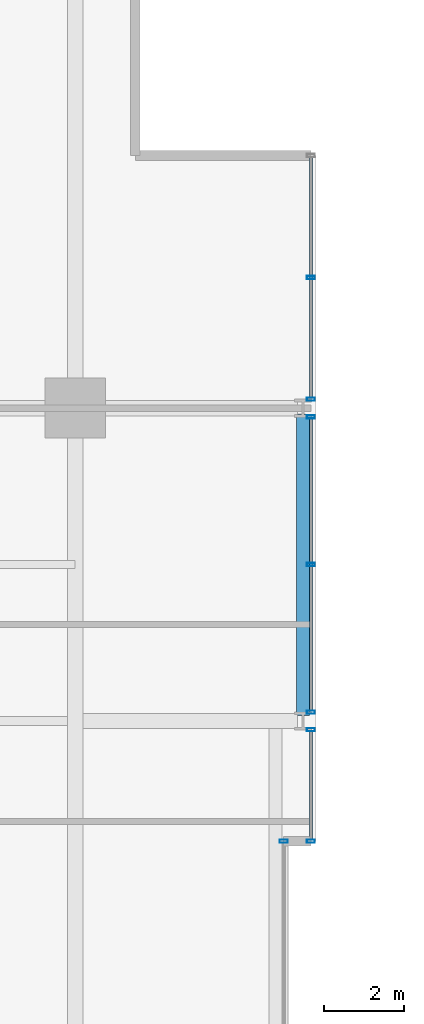
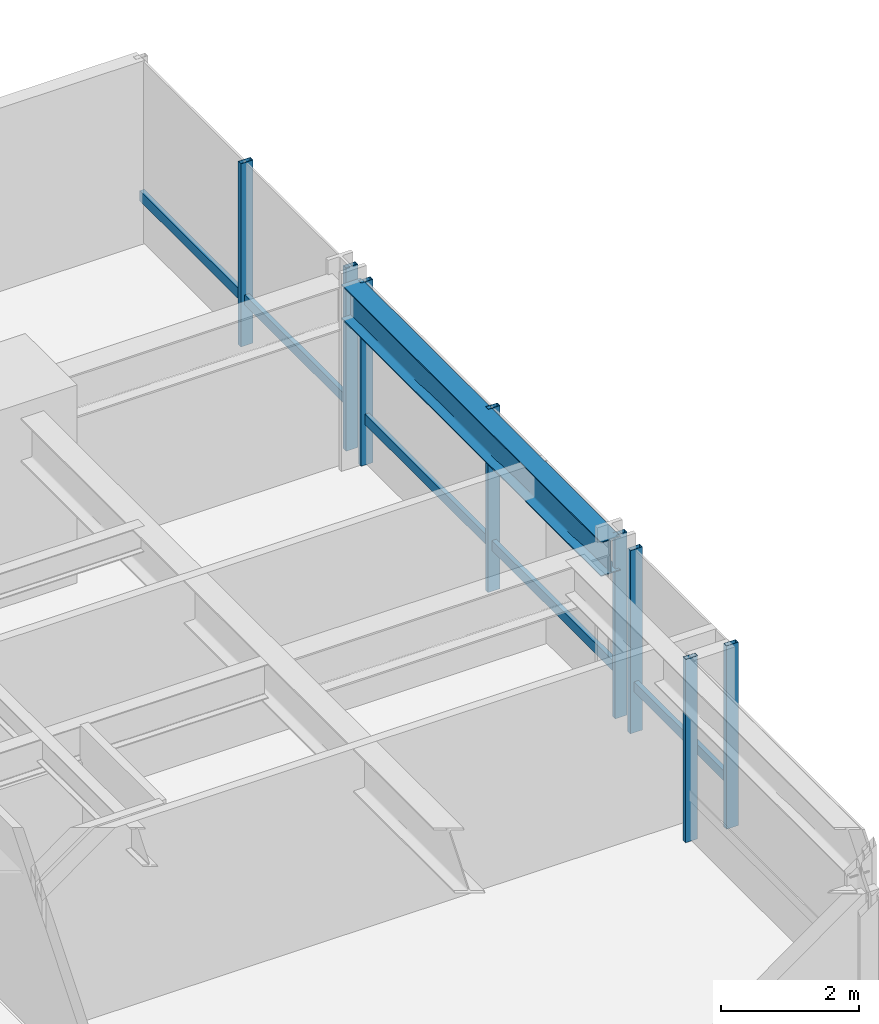
# One storey, part 24 of 35: 11 members, 1 beam, 4 elements without a shape of their own.
"""IFC4 building model written with IfcOpenShell, lengths in metres."""

from ifc_helpers import new_model, si_unit, direction, frame, origin, origin_2d, place, context, subcontext, project, spatial, hollow_rectangle, i_section, extrude, material, layer, layer_set, material_profile, profile_set, type_object, element, aggregate, save


model = new_model("IFC4")

# Units and contexts
model_context = context("Model", 3, precision=1e-05, world=origin(), true_north=direction((0.0, 1.0)))
body_context = subcontext(model_context, "Body", "Model", "MODEL_VIEW")
ifc_project = project(units=[si_unit("LENGTHUNIT", "METRE"), si_unit("AREAUNIT", "SQUARE_METRE"), si_unit("VOLUMEUNIT", "CUBIC_METRE"), si_unit("PLANEANGLEUNIT", "RADIAN"), si_unit("MASSUNIT", "GRAM", prefix="KILO")], contexts=[model_context])

# Site, building, storey
site_placement = place(None, origin())
site = spatial("IfcSite", under=ifc_project, at=site_placement, CompositionType="ELEMENT")
building_placement = place(site_placement, origin())
building = spatial("IfcBuilding", under=site, at=building_placement, Name="Drelvath Grand Hotel", CompositionType="ELEMENT")
storey_placement = place(building_placement, frame((0.0, 0.0, 95.300048828125)))
storey = spatial("IfcBuildingStorey", under=building, at=storey_placement, Name="L23", CompositionType="ELEMENT", Elevation=95.300048828125)

# Curtain wall, member
ifc_material_1 = material(Name="Champagne Bronze Anodised Aluminium Frame", Category="aluminium")
ifc_layer = layer(ifc_material_1, 0.199951171875)
ifc_layer_set = layer_set([ifc_layer], Name="Champagne Bronze Anodised Aluminium Frame")
curtain_wall_type = type_object("IfcCurtainWallType", Name="Stick Curtain Wall CW-03 Champagne Bronze Mid-Rise", PredefinedType="NOTDEFINED", material=ifc_layer_set)
curtain_wall_1_placement = place(storey_placement, origin())
curtain_wall_1 = element("IfcCurtainWall", 1, at=curtain_wall_1_placement, inside=storey, type_object=curtain_wall_type, Name="L23 CW-03 Curtain Wall CW03-L23-EN1", PredefinedType="NOTDEFINED")
ifc_material_profile_1 = material_profile(ifc_material_1, hollow_rectangle(XDim=0.074951171875, YDim=0.179931640625, WallThickness=0.0048828125, at=origin_2d()), Name="HSS180X75X5")
ifc_profile_set_1 = profile_set([ifc_material_profile_1], Name="Champagne Bronze Anodised Aluminium Frame")
member_type_1 = type_object("IfcMemberType", Name="Curtain Wall Horizontal Transom CW-03 HSS180X75X5", PredefinedType="USERDEFINED", material=ifc_profile_set_1)
member_1_placement = place(storey_placement, frame((22.080078125, 35.140380859375, 0.81005859375), z_axis=(0.0, -1.0, 0.0), x_axis=(1.0, 0.0, 0.0)))
member_1 = element("IfcMember", 2, at=member_1_placement, type_object=member_type_1, Name="CW03-L23-EN1 Sill Transom", ObjectType="TRANSOM", PredefinedType="USERDEFINED", context=body_context, shape_type="SweptSolid", body=[
    extrude(hollow_rectangle(XDim=0.074951171875, YDim=0.179931640625, WallThickness=0.0048828125, at=origin_2d()), origin(), (0.0, 0.0, 1.0), 2.700439453125),
])

curtain_wall_2_placement = place(storey_placement, origin())
curtain_wall_2 = element("IfcCurtainWall", 3, at=curtain_wall_2_placement, inside=storey, type_object=curtain_wall_type, Name="L23 CW-03 Curtain Wall CW03-L23-EN2", PredefinedType="NOTDEFINED")
member_2_placement = place(storey_placement, frame((22.080078125, 42.9404296875, 0.81005859375), z_axis=(0.0, -1.0, 0.0), x_axis=(1.0, 0.0, 0.0)))
member_2 = element("IfcMember", 4, at=member_2_placement, type_object=member_type_1, Name="CW03-L23-EN2 Sill Transom", ObjectType="TRANSOM", PredefinedType="USERDEFINED", context=body_context, shape_type="SweptSolid", body=[
    extrude(hollow_rectangle(XDim=0.074951171875, YDim=0.179931640625, WallThickness=0.0048828125, at=origin_2d()), origin(), (0.0, 0.0, 1.0), 7.28076171875),
])

curtain_wall_3_placement = place(storey_placement, origin())
curtain_wall_3 = element("IfcCurtainWall", 5, at=curtain_wall_3_placement, inside=storey, type_object=curtain_wall_type, Name="L23 CW-03 Curtain Wall CW03-L23-EN3", PredefinedType="NOTDEFINED")
member_3_placement = place(storey_placement, frame((22.080078125, 49.4599609375, 0.81005859375), z_axis=(0.0, -1.0, 0.0), x_axis=(1.0, 0.0, 0.0)))
member_3 = element("IfcMember", 6, at=member_3_placement, type_object=member_type_1, Name="CW03-L23-EN3 Sill Transom", ObjectType="TRANSOM", PredefinedType="USERDEFINED", context=body_context, shape_type="SweptSolid", body=[
    extrude(hollow_rectangle(XDim=0.074951171875, YDim=0.179931640625, WallThickness=0.0048828125, at=origin_2d()), origin(), (0.0, 0.0, 1.0), 6.000244140625),
])

# Member
ifc_material_profile_2 = material_profile(ifc_material_1, hollow_rectangle(XDim=0.080078125, YDim=0.199951171875, WallThickness=0.0048828125, at=origin_2d()), Name="HSS200X80X5")
ifc_profile_set_2 = profile_set([ifc_material_profile_2], Name="Champagne Bronze Anodised Aluminium Frame")
member_type_2 = type_object("IfcMemberType", Name="Curtain Wall Vertical Mullion CW-03 HSS200X80X5", PredefinedType="MULLION", material=ifc_profile_set_2)
member_4_placement = place(storey_placement, frame((22.080078125, 35.180419921875, 0.0), z_axis=(0.0, 0.0, 1.0), x_axis=(0.0, 1.0, 0.0)))
member_4 = element("IfcMember", 7, at=member_4_placement, type_object=member_type_2, Name="CW03-L23-EN1 Mullion 1", PredefinedType="MULLION", context=body_context, shape_type="SweptSolid", body=[
    extrude(hollow_rectangle(XDim=0.080078125, YDim=0.199951171875, WallThickness=0.0048828125, at=origin_2d()), origin(), (0.0, 0.0, 1.0), 3.239990234375),
])

member_5_placement = place(storey_placement, frame((22.080078125, 32.39990234375, 0.0), z_axis=(0.0, 0.0, 1.0), x_axis=(0.0, 1.0, 0.0)))
member_5 = element("IfcMember", 8, at=member_5_placement, type_object=member_type_2, Name="CW03-L23-EN1 Mullion 2", PredefinedType="MULLION", context=body_context, shape_type="SweptSolid", body=[
    extrude(hollow_rectangle(XDim=0.080078125, YDim=0.199951171875, WallThickness=0.0048828125, at=origin_2d()), origin(), (0.0, 0.0, 1.0), 3.239990234375),
])

aggregate(curtain_wall_1, [member_4, member_5, member_1])

member_6_placement = place(storey_placement, frame((22.080078125, 42.98046875, 0.0), z_axis=(0.0, 0.0, 1.0), x_axis=(0.0, 1.0, 0.0)))
member_6 = element("IfcMember", 9, at=member_6_placement, type_object=member_type_2, Name="CW03-L23-EN2 Mullion 1", PredefinedType="MULLION", context=body_context, shape_type="SweptSolid", body=[
    extrude(hollow_rectangle(XDim=0.080078125, YDim=0.199951171875, WallThickness=0.0048828125, at=origin_2d()), origin(), (0.0, 0.0, 1.0), 3.239990234375),
])

member_7_placement = place(storey_placement, frame((22.080078125, 39.300048828125, 0.0), z_axis=(0.0, 0.0, 1.0), x_axis=(0.0, 1.0, 0.0)))
member_7 = element("IfcMember", 10, at=member_7_placement, type_object=member_type_2, Name="CW03-L23-EN2 Mullion 2", PredefinedType="MULLION", context=body_context, shape_type="SweptSolid", body=[
    extrude(hollow_rectangle(XDim=0.080078125, YDim=0.199951171875, WallThickness=0.0048828125, at=origin_2d()), origin(), (0.0, 0.0, 1.0), 3.239990234375),
])

member_8_placement = place(storey_placement, frame((22.080078125, 35.61962890625, 0.0), z_axis=(0.0, 0.0, 1.0), x_axis=(0.0, 1.0, 0.0)))
member_8 = element("IfcMember", 11, at=member_8_placement, type_object=member_type_2, Name="CW03-L23-EN2 Mullion 3", PredefinedType="MULLION", context=body_context, shape_type="SweptSolid", body=[
    extrude(hollow_rectangle(XDim=0.080078125, YDim=0.199951171875, WallThickness=0.0048828125, at=origin_2d()), origin(), (0.0, 0.0, 1.0), 3.239990234375),
])

aggregate(curtain_wall_2, [member_6, member_7, member_8, member_2])

member_9_placement = place(storey_placement, frame((22.080078125, 46.459716796875, 0.0), z_axis=(0.0, 0.0, 1.0), x_axis=(0.0, 1.0, 0.0)))
member_9 = element("IfcMember", 12, at=member_9_placement, type_object=member_type_2, Name="CW03-L23-EN3 Mullion 2", PredefinedType="MULLION", context=body_context, shape_type="SweptSolid", body=[
    extrude(hollow_rectangle(XDim=0.080078125, YDim=0.199951171875, WallThickness=0.0048828125, at=origin_2d()), origin(), (0.0, 0.0, 1.0), 3.239990234375),
])

member_10_placement = place(storey_placement, frame((22.080078125, 43.419677734375, 0.0), z_axis=(0.0, 0.0, 1.0), x_axis=(0.0, 1.0, 0.0)))
member_10 = element("IfcMember", 13, at=member_10_placement, type_object=member_type_2, Name="CW03-L23-EN3 Mullion 3", PredefinedType="MULLION", context=body_context, shape_type="SweptSolid", body=[
    extrude(hollow_rectangle(XDim=0.080078125, YDim=0.199951171875, WallThickness=0.0048828125, at=origin_2d()), origin(), (0.0, 0.0, 1.0), 3.239990234375),
])

aggregate(curtain_wall_3, [member_9, member_10, member_3])

# Curtain wall, member
curtain_wall_4_placement = place(storey_placement, origin())
curtain_wall_4 = element("IfcCurtainWall", 14, at=curtain_wall_4_placement, inside=storey, type_object=curtain_wall_type, Name="L23 CW-03 Curtain Wall CW03-L23-EM2", PredefinedType="NOTDEFINED")
member_11_placement = place(storey_placement, frame((21.39990234375, 32.39990234375, 0.0), z_axis=(0.0, 0.0, 1.0), x_axis=(0.0, 1.0, 0.0)))
member_11 = element("IfcMember", 15, at=member_11_placement, type_object=member_type_2, Name="CW03-L23-EM2 Mullion 1", PredefinedType="MULLION", context=body_context, shape_type="SweptSolid", body=[
    extrude(hollow_rectangle(XDim=0.080078125, YDim=0.199951171875, WallThickness=0.0048828125, at=origin_2d()), origin(), (0.0, 0.0, 1.0), 3.239990234375),
])
aggregate(curtain_wall_4, [member_11])

# Beam
ifc_material_2 = material(Name="Steel ASTM A992 Gr 50", Category="steel")
ifc_material_profile_3 = material_profile(ifc_material_2, i_section(OverallWidth=0.323974609375, OverallDepth=0.611083984375, WebThickness=0.0126953125, FlangeThickness=0.01904296875, FilletRadius=0.02197265625, at=origin_2d()), Name="W24X104")
ifc_profile_set_3 = profile_set([ifc_material_profile_3], Name="Steel ASTM A992 Gr 50")
beam_type = type_object("IfcBeamType", Name="Perimeter Spandrel Beam W24X104", PredefinedType="SPANDREL", material=ifc_profile_set_3)
beam_placement = place(storey_placement, frame((21.8798828125, 35.5400390625, 2.9345703125), z_axis=(0.0, 1.0, 0.0), x_axis=(-1.0, 0.0, 0.0)))
element("IfcBeam", 16, at=beam_placement, inside=storey, type_object=beam_type, Name="L23 Spandrel East N", PredefinedType="SPANDREL", context=body_context, shape_type="SweptSolid", body=[
    extrude(i_section(OverallWidth=0.323974609375, OverallDepth=0.611083984375, WebThickness=0.0126953125, FlangeThickness=0.01904296875, FilletRadius=0.02197265625, at=origin_2d()), origin(), (0.0, 0.0, 1.0), 7.52001953125),
])

save(model, "model.ifc")
